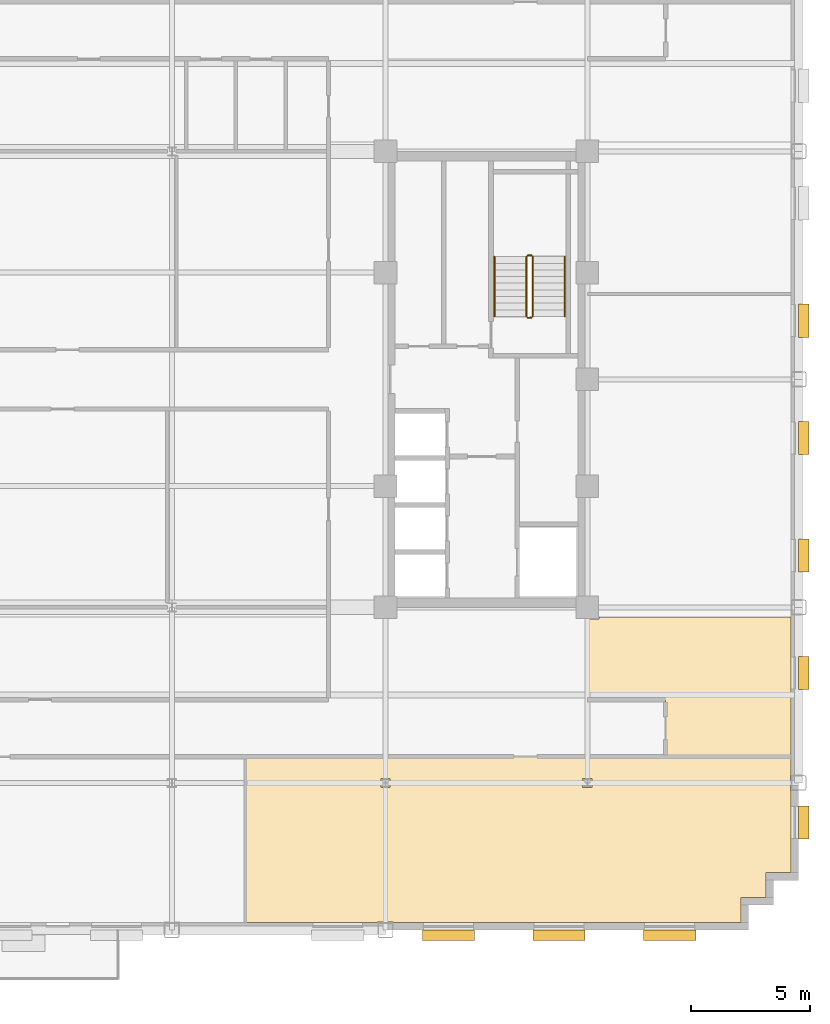
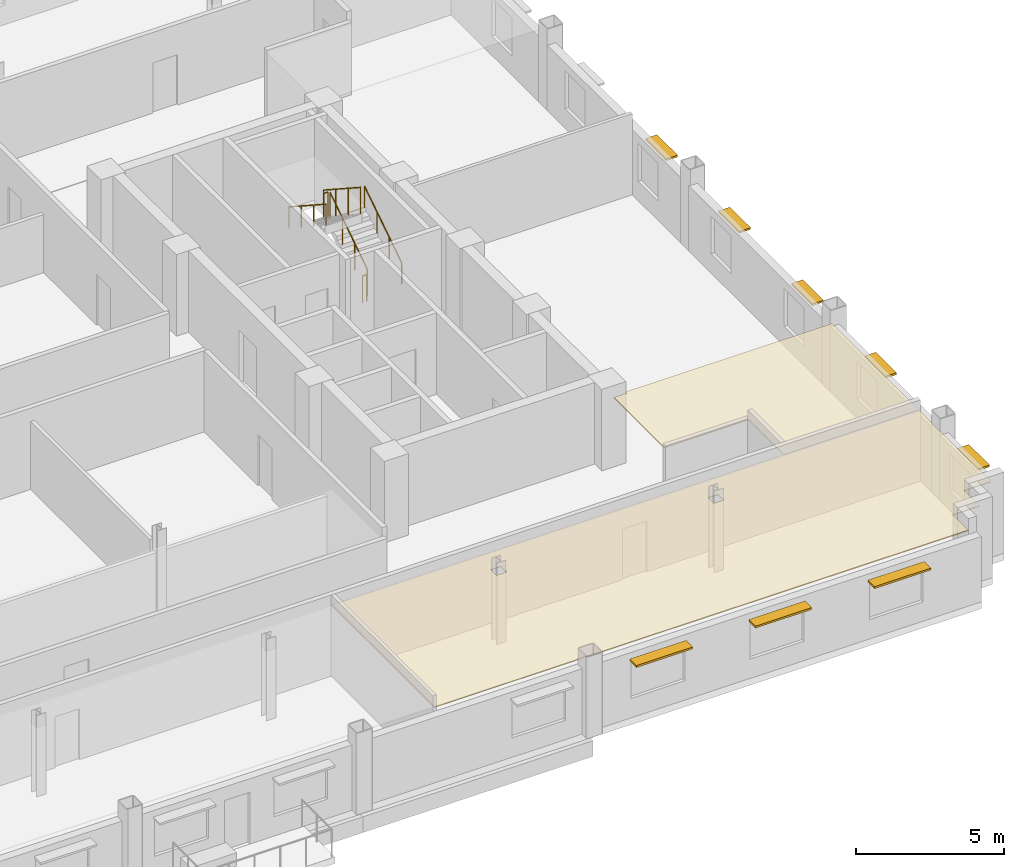
# One storey, part 13 of 14: 8 shading devices, 6 railings, 2 coverings.
"""IFC4 building model written with IfcOpenShell, lengths in metres."""

from ifc_helpers import new_model, si_unit, direction, frame, origin, origin_2d, place, context, subcontext, project, spatial, polyline, rectangle, circle, outline, extrude, source, transform, mapped, material, layer, layer_set, type_object, type_shapes, element, save


model = new_model("IFC4")

# Units and contexts
model_context = context("Model", 3, precision=1e-05, world=origin(), true_north=direction((0.0, 1.0)))
body_context = subcontext(model_context, "Body", "Model", "MODEL_VIEW")
ifc_project = project(units=[si_unit("LENGTHUNIT", "METRE"), si_unit("AREAUNIT", "SQUARE_METRE"), si_unit("VOLUMEUNIT", "CUBIC_METRE"), si_unit("PLANEANGLEUNIT", "RADIAN"), si_unit("MASSUNIT", "GRAM", prefix="KILO")], contexts=[model_context])

# Site, building, storey
site_placement = place(None, origin())
site = spatial("IfcSite", under=ifc_project, at=site_placement, CompositionType="ELEMENT")
building_placement = place(site_placement, origin())
building = spatial("IfcBuilding", under=site, at=building_placement, Name="Nuvemarco Arch Tower", CompositionType="ELEMENT")
storey_placement = place(building_placement, frame((0.0, 0.0, 138.449951171875)))
storey = spatial("IfcBuildingStorey", under=building, at=storey_placement, Name="L36", CompositionType="ELEMENT", Elevation=138.449951171875)

# Coverings
ifc_material_1 = material(Name="Mineral acoustic ceiling tile")
ifc_layer = layer(ifc_material_1, 0.0400390625, Name="COV-ACOUSTIC-CLG")
ifc_layer_set = layer_set([ifc_layer], Name="Mineral acoustic ceiling tile")
covering_type = type_object("IfcCoveringType", Name="COV-ACOUSTIC-CLG", PredefinedType="CEILING", material=ifc_layer_set)
covering_1_placement = place(storey_placement, frame((0.0, 0.0, 2.85009765625)))
element("IfcCovering", 1, at=covering_1_placement, inside=storey, type_object=covering_type, Name="L36 suspended acoustic ceiling 3", PredefinedType="CEILING", context=body_context, shape_type="SweptSolid", body=[
    extrude(outline(polyline([(17.5, -10.090087890625), (17.989990234375, -10.090087890625), (17.989990234375, -10.0), (26.080078125, -10.0), (26.080078125, -15.89990234375), (20.800048828125, -15.89990234375), (20.800048828125, -13.5), (17.5, -13.5), (17.5, -10.090087890625)])), origin(), (0.0, 0.0, 1.0), 0.0400390625),
])
covering_2_placement = place(storey_placement, frame((0.0, 0.0, 2.85009765625)))
element("IfcCovering", 2, at=covering_2_placement, inside=storey, type_object=covering_type, Name="L36 suspended acoustic ceiling 4", PredefinedType="CEILING", context=body_context, shape_type="SweptSolid", body=[
    extrude(outline(polyline([(23.97998046875, -22.8798828125), (9.340087890625, -22.8798828125), (9.340087890625, -22.860107421875), (8.659912109375, -22.860107421875), (8.659912109375, -22.8798828125), (3.10009765625, -22.8798828125), (3.10009765625, -15.89990234375), (6.60009765625, -15.89990234375), (9.0, -15.89990234375), (20.800048828125, -15.89990234375), (26.080078125, -15.89990234375), (26.080078125, -16.659912109375), (26.06005859375, -16.659912109375), (26.06005859375, -17.340087890625), (26.080078125, -17.340087890625), (26.080078125, -20.780029296875), (25.030029296875, -20.780029296875), (25.030029296875, -21.830078125), (23.97998046875, -21.830078125), (23.97998046875, -22.8798828125)]), holes=[polyline([(9.195068359375, -17.195068359375), (9.195068359375, -16.804931640625), (8.804931640625, -16.804931640625), (8.804931640625, -17.195068359375), (9.195068359375, -17.195068359375)]), polyline([(17.695068359375, -17.195068359375), (17.695068359375, -16.804931640625), (17.304931640625, -16.804931640625), (17.304931640625, -17.195068359375), (17.695068359375, -17.195068359375)])]), origin(), (0.0, 0.0, 1.0), 0.0400390625),
])

# Railings
ifc_material_2 = material(Name="Brushed stainless steel handrail", Category="steel")
railing_type_1 = type_object("IfcRailingType", Name="RL-HANDRAIL-900", PredefinedType="HANDRAIL", material=ifc_material_2)
railing_1_placement = place(storey_placement, frame((16.550048828125, 2.64990234375, 0.1826171875)))
element("IfcRailing", 3, at=railing_1_placement, inside=storey, type_object=railing_type_1, Name="L36 ST-2 stair handrail 1", PredefinedType="HANDRAIL", context=body_context, shape_type="SweptSolid", body=[
    extrude(circle(Radius=0.02392578125, at=origin_2d()), frame((0.0, 0.0, 0.8759765625), z_axis=(0.0, 0.837786554691, 0.545997883492), x_axis=(-1.0, 0.0, 0.0)), (0.0, 0.0, 1.0), 3.008056640625),
    extrude(circle(Radius=0.02099609375, at=origin_2d()), origin(), (0.0, 0.0, 1.0), 0.851806640625),
    extrude(circle(Radius=0.02099609375, at=origin_2d()), frame((0.0, 0.840087890625, 0.54736328125)), (0.0, 0.0, 1.0), 0.851806640625),
    extrude(circle(Radius=0.02099609375, at=origin_2d()), frame((0.0, 1.679931640625, 1.094970703125)), (0.0, 0.0, 1.0), 0.851806640625),
    extrude(circle(Radius=0.02099609375, at=origin_2d()), frame((0.0, 2.52001953125, 1.642333984375)), (0.0, 0.0, 1.0), 0.851806640625),
])
railing_2_placement = place(storey_placement, frame((13.590087890625, 5.169921875, 2.007568359375)))
element("IfcRailing", 4, at=railing_2_placement, inside=storey, type_object=railing_type_1, Name="L36 ST-2 stair handrail 2", PredefinedType="HANDRAIL", context=body_context, shape_type="SweptSolid", body=[
    extrude(circle(Radius=0.02392578125, at=origin_2d()), frame((0.0, 0.0, 0.8759765625), z_axis=(0.0, -0.837749427056, 0.546054848405), x_axis=(1.0, 0.0, 0.0)), (0.0, 0.0, 1.0), 3.008056640625),
    extrude(circle(Radius=0.02099609375, at=origin_2d()), origin(), (0.0, 0.0, 1.0), 0.851806640625),
    extrude(circle(Radius=0.02099609375, at=origin_2d()), frame((0.0, -0.840087890625, 0.547607421875)), (0.0, 0.0, 1.0), 0.851806640625),
    extrude(circle(Radius=0.02099609375, at=origin_2d()), frame((0.0, -1.679931640625, 1.094970703125)), (0.0, 0.0, 1.0), 0.851806640625),
    extrude(circle(Radius=0.02099609375, at=origin_2d()), frame((0.0, -2.52001953125, 1.642578125)), (0.0, 0.0, 1.0), 0.851806640625),
])
ifc_material_3 = material(Name="Painted balustrade steel S355", Category="steel")
railing_type_2 = type_object("IfcRailingType", Name="RL-STAIR-GUARD", PredefinedType="GUARDRAIL", material=ifc_material_3)
railing_3_placement = place(storey_placement, frame((15.199951171875, 2.64990234375, 0.1826171875)))
element("IfcRailing", 5, at=railing_3_placement, inside=storey, type_object=railing_type_2, Name="L36 ST-2 stair guard 1", PredefinedType="GUARDRAIL", context=body_context, shape_type="SweptSolid", body=[
    extrude(circle(Radius=0.02392578125, at=origin_2d()), frame((0.0, 0.0, 1.09619140625), z_axis=(0.0, 0.837786554691, 0.545997883492), x_axis=(-1.0, 0.0, 0.0)), (0.0, 0.0, 1.0), 3.008056640625),
    extrude(circle(Radius=0.02099609375, at=origin_2d()), origin(), (0.0, 0.0, 1.0), 1.072021484375),
    extrude(circle(Radius=0.02099609375, at=origin_2d()), frame((0.0, 0.840087890625, 0.54736328125)), (0.0, 0.0, 1.0), 1.072021484375),
    extrude(circle(Radius=0.02099609375, at=origin_2d()), frame((0.0, 1.679931640625, 1.094970703125)), (0.0, 0.0, 1.0), 1.072021484375),
    extrude(circle(Radius=0.02099609375, at=origin_2d()), frame((0.0, 2.52001953125, 1.642333984375)), (0.0, 0.0, 1.0), 1.072021484375),
])
railing_4_placement = place(storey_placement, frame((15.14990234375, 5.219970703125, 1.824951171875)))
element("IfcRailing", 6, at=railing_4_placement, inside=storey, type_object=railing_type_2, Name="L36 ST-2 stair guard 2", PredefinedType="GUARDRAIL", context=body_context, shape_type="SweptSolid", body=[
    extrude(circle(Radius=0.02392578125, at=origin_2d()), frame((0.0, 0.0, 1.09619140625), z_axis=(-1.0, 0.0, 0.0), x_axis=(0.0, -1.0, 0.0)), (0.0, 0.0, 1.0), 0.159912109375),
    extrude(circle(Radius=0.02099609375, at=origin_2d()), origin(), (0.0, 0.0, 1.0), 1.072021484375),
    extrude(circle(Radius=0.02099609375, at=origin_2d()), frame((-0.159912109375, 0.0, 0.0)), (0.0, 0.0, 1.0), 1.072021484375),
])
railing_5_placement = place(storey_placement, frame((14.93994140625, 5.169921875, 2.007568359375)))
element("IfcRailing", 7, at=railing_5_placement, inside=storey, type_object=railing_type_2, Name="L36 ST-2 stair guard 3", PredefinedType="GUARDRAIL", context=body_context, shape_type="SweptSolid", body=[
    extrude(circle(Radius=0.02392578125, at=origin_2d()), frame((0.0, 0.0, 1.09619140625), z_axis=(0.0, -0.837749427056, 0.546054848405), x_axis=(1.0, 0.0, 0.0)), (0.0, 0.0, 1.0), 3.008056640625),
    extrude(circle(Radius=0.02099609375, at=origin_2d()), origin(), (0.0, 0.0, 1.0), 1.072021484375),
    extrude(circle(Radius=0.02099609375, at=origin_2d()), frame((0.0, -0.840087890625, 0.547607421875)), (0.0, 0.0, 1.0), 1.072021484375),
    extrude(circle(Radius=0.02099609375, at=origin_2d()), frame((0.0, -1.679931640625, 1.094970703125)), (0.0, 0.0, 1.0), 1.072021484375),
    extrude(circle(Radius=0.02099609375, at=origin_2d()), frame((0.0, -2.52001953125, 1.642578125)), (0.0, 0.0, 1.0), 1.072021484375),
])
railing_6_placement = place(storey_placement, frame((15.14990234375, 2.60009765625, 0.0)))
element("IfcRailing", 8, at=railing_6_placement, inside=storey, type_object=railing_type_2, Name="L36 ST-2 stair guard 4", PredefinedType="GUARDRAIL", context=body_context, shape_type="SweptSolid", body=[
    extrude(circle(Radius=0.02392578125, at=origin_2d()), frame((0.0, 0.0, 1.09619140625), z_axis=(-1.0, 0.0, 0.0), x_axis=(0.0, -1.0, 0.0)), (0.0, 0.0, 1.0), 0.159912109375),
    extrude(circle(Radius=0.02099609375, at=origin_2d()), origin(), (0.0, 0.0, 1.0), 1.072021484375),
    extrude(circle(Radius=0.02099609375, at=origin_2d()), frame((-0.159912109375, 0.0, 0.0)), (0.0, 0.0, 1.0), 1.072021484375),
])

# Shading devices
ifc_material_4 = material(Name="Anodised aluminium 6063-T6", Category="aluminium")
shading_device_type_1 = type_object("IfcShadingDeviceType", Name="SHD-BRISE-SOLEIL", PredefinedType="USERDEFINED", material=ifc_material_4)
shared_shape_1 = source(origin(), body_context, "Body", "SweptSolid", [
    extrude(rectangle(XDim=2.199951171875, YDim=0.449951171875, at=origin_2d()), origin(), (0.0, 0.0, 1.0), 0.080078125),
])
type_shapes(shading_device_type_1, [shared_shape_1])
for number, where, z_axis, x_axis, name in (
    (9, (11.64990234375, -23.4150390625, 2.364990234375), (0.0, 0.0, 1.0), (1.0, 0.0, 0.0), "L36 horizontal brise-soleil sunshade"),
    (10, (16.31005859375, -23.4150390625, 2.364990234375), (0.0, 0.0, 1.0), (1.0, 0.0, 0.0), "L36 horizontal brise-soleil sunshade"),
    (11, (20.969970703125, -23.4150390625, 2.364990234375), (0.0, 0.0, 1.0), (1.0, 0.0, 0.0), "L36 horizontal brise-soleil sunshade"),
):
    element("IfcShadingDevice", number, at=place(storey_placement, frame(where, z_axis=z_axis, x_axis=x_axis)), inside=storey, type_object=shading_device_type_1, Name=name, ObjectType="SUNSHADE", PredefinedType="USERDEFINED", context=body_context, shape_type="MappedRepresentation", body=[
        mapped(shared_shape_1, transform((0.0, 0.0, 0.0), scale=1.0)),
    ])
shading_device_type_2 = type_object("IfcShadingDeviceType", Name="SHD-BRISE-NARROW", PredefinedType="USERDEFINED", material=ifc_material_4)
shared_shape_2 = source(origin(), body_context, "Body", "SweptSolid", [
    extrude(rectangle(XDim=1.39990234375, YDim=0.449951171875, at=origin_2d()), origin(), (0.0, 0.0, 1.0), 0.080078125),
])
type_shapes(shading_device_type_2, [shared_shape_2])
for number, where, z_axis, x_axis, name in (
    (12, (26.614990234375, -18.660888671875, 2.364990234375), (0.0, 0.0, 1.0), (0.0, 1.0, 0.0), "L36 horizontal brise-soleil sunshade"),
    (13, (26.614990234375, -12.364990234375, 2.364990234375), (0.0, 0.0, 1.0), (0.0, 1.0, 0.0), "L36 horizontal brise-soleil sunshade"),
    (14, (26.614990234375, -7.4189453125, 2.364990234375), (0.0, 0.0, 1.0), (0.0, 1.0, 0.0), "L36 horizontal brise-soleil sunshade"),
    (15, (26.614990234375, -2.472900390625, 2.364990234375), (0.0, 0.0, 1.0), (0.0, 1.0, 0.0), "L36 horizontal brise-soleil sunshade"),
    (16, (26.614990234375, 2.472900390625, 2.364990234375), (0.0, 0.0, 1.0), (0.0, 1.0, 0.0), "L36 horizontal brise-soleil sunshade"),
):
    element("IfcShadingDevice", number, at=place(storey_placement, frame(where, z_axis=z_axis, x_axis=x_axis)), inside=storey, type_object=shading_device_type_2, Name=name, ObjectType="SUNSHADE", PredefinedType="USERDEFINED", context=body_context, shape_type="MappedRepresentation", body=[
        mapped(shared_shape_2, transform((0.0, 0.0, 0.0), scale=1.0)),
    ])

save(model, "model.ifc")
